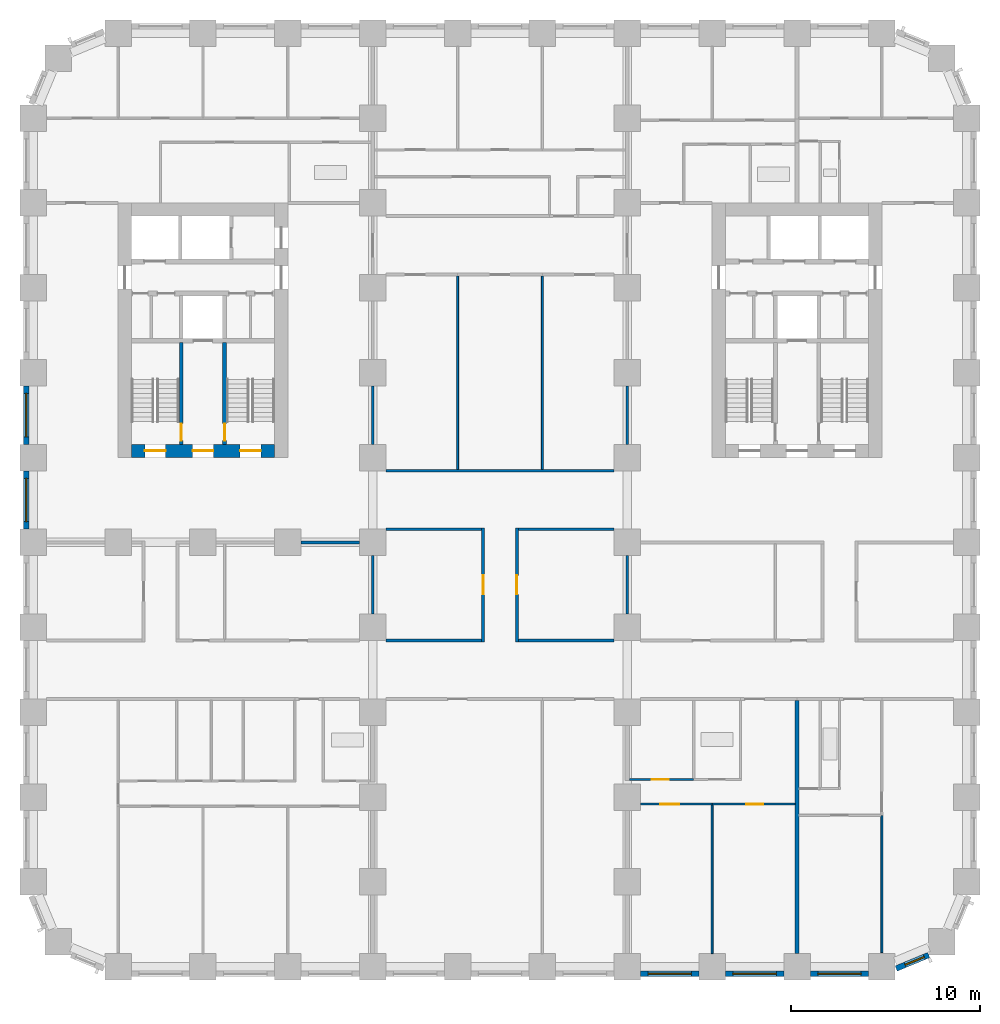
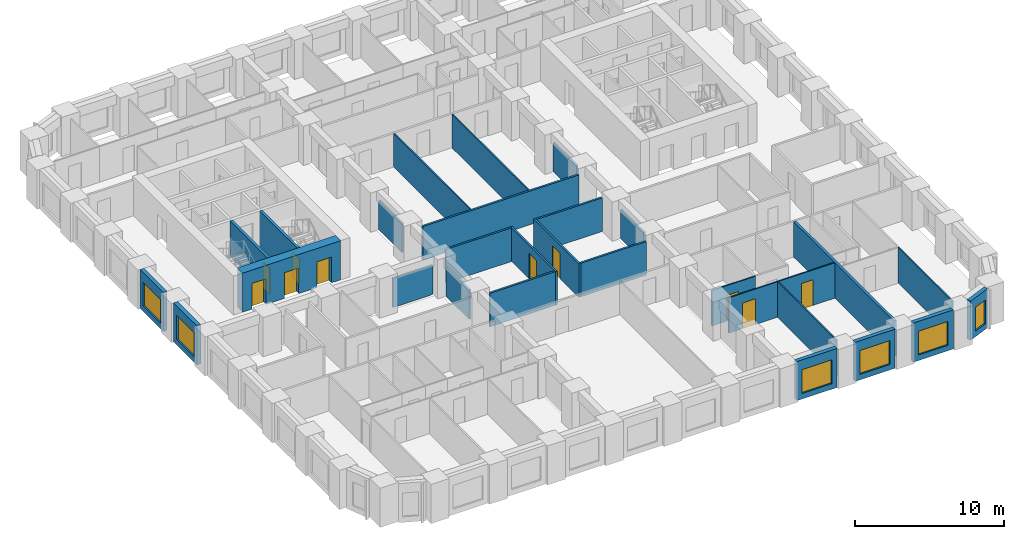
# One storey, part 4 of 13: 29 walls, 10 doors, 6 windows, 16 openings.
"""IFC4 building model written with IfcOpenShell, lengths in metres."""

from ifc_helpers import new_model, si_unit, direction, frame, frame_2d, origin, place, context, subcontext, project, spatial, rectangle, extrude, material, layer, layer_set, type_object, element, fill, save


model = new_model("IFC4")

# Units and contexts
model_context = context("Model", 3, precision=1e-05, world=origin(), true_north=direction((0.0, 1.0)))
body_context = subcontext(model_context, "Body", "Model", "MODEL_VIEW")
ifc_project = project(units=[si_unit("LENGTHUNIT", "METRE"), si_unit("AREAUNIT", "SQUARE_METRE"), si_unit("VOLUMEUNIT", "CUBIC_METRE"), si_unit("PLANEANGLEUNIT", "RADIAN"), si_unit("MASSUNIT", "GRAM", prefix="KILO")], contexts=[model_context])

# Site, building, storey
site_placement = place(None, origin())
site = spatial("IfcSite", under=ifc_project, at=site_placement, CompositionType="ELEMENT")
building_placement = place(site_placement, origin())
building = spatial("IfcBuilding", under=site, at=building_placement, Name="Girih Gate Residences", CompositionType="ELEMENT")
storey_placement = place(building_placement, frame((0.0, 0.0, 40.0)))
storey = spatial("IfcBuildingStorey", under=building, at=storey_placement, Name="L09", CompositionType="ELEMENT", Elevation=40.0)

# Wall, opening, door
ifc_material_1 = material(Name="Gypsum board on steel studs", Category="steel")
ifc_layer_1 = layer(ifc_material_1, 0.14990234375)
ifc_layer_set_1 = layer_set([ifc_layer_1], Name="Compartment wall 150 mm")
wall_type_1 = type_object("IfcWallType", Name="Compartment wall 150 mm", PredefinedType="PARTITIONING", material=ifc_layer_set_1)
wall_1_placement = place(storey_placement, frame((23.85009765625, 17.22509765625, 0.0), z_axis=(0.0, 0.0, 1.0), x_axis=(0.0, 1.0, 0.0)))
wall_1 = element("IfcWall", 1, at=wall_1_placement, inside=storey, type_object=wall_type_1, Name="L09 partition", PredefinedType="PARTITIONING", context=body_context, shape_type="SweptSolid", body=[
    extrude(rectangle(XDim=6.0498046875, YDim=0.14990234375, at=frame_2d((3.02490234375, 0.0))), origin(), (0.0, 0.0, 1.0), 2.75),
])
opening_1_placement = place(wall_1_placement, frame((2.52490234375, 0.0, 0.0)))
opening_1 = element("IfcOpeningElement", 2, at=opening_1_placement, cuts=wall_1, Name="Opening A09-051", PredefinedType="OPENING", context=body_context, shape_type="SweptSolid", body=[
    extrude(rectangle(XDim=1.0, YDim=2.10009765625, at=frame_2d((0.5, 1.050048828125))), frame((0.0, 0.0849609375, 0.0), z_axis=(0.0, -1.0, 0.0), x_axis=(1.0, 0.0, 0.0)), (0.0, 0.0, 1.0), 0.169921875),
])
ifc_material_2 = material(Name="Timber, fire-rated core", Category="wood")
door_type_1 = type_object("IfcDoorType", Name="Amenity room door 1000x2100 FD30S", OperationType="NOTDEFINED", PredefinedType="DOOR", material=ifc_material_2)
door_1_placement = place(opening_1_placement, origin())
door_1 = element("IfcDoor", 3, at=door_1_placement, inside=storey, type_object=door_type_1, Name="Door A09-051", OperationType="SINGLE_SWING_RIGHT", OverallHeight=2.10009765625, OverallWidth=1.0, PredefinedType="DOOR", context=body_context, shape_type="SweptSolid", body=[
    extrude(rectangle(XDim=1.0, YDim=2.10009765625, at=frame_2d((0.5, 1.050048828125))), frame((0.0, 0.02490234375, 0.0), z_axis=(0.0, -1.0, 0.0), x_axis=(1.0, 0.0, 0.0)), (0.0, 0.0, 1.0), 0.050048828125),
])
fill(opening_1, door_1)

wall_2_placement = place(storey_placement, frame((25.64990234375, 23.27490234375, 0.0), z_axis=(0.0, 0.0, 1.0), x_axis=(0.0, -1.0, 0.0)))
wall_2 = element("IfcWall", 4, at=wall_2_placement, inside=storey, type_object=wall_type_1, Name="L09 partition", PredefinedType="PARTITIONING", context=body_context, shape_type="SweptSolid", body=[
    extrude(rectangle(XDim=6.0498046875, YDim=0.14990234375, at=frame_2d((3.02490234375, 0.0))), origin(), (0.0, 0.0, 1.0), 2.75),
])
opening_2_placement = place(wall_2_placement, frame((2.52490234375, 0.0, 0.0)))
opening_2 = element("IfcOpeningElement", 5, at=opening_2_placement, cuts=wall_2, Name="Opening A09-052", PredefinedType="OPENING", context=body_context, shape_type="SweptSolid", body=[
    extrude(rectangle(XDim=1.0, YDim=2.10009765625, at=frame_2d((0.5, 1.050048828125))), frame((0.0, 0.0849609375, 0.0), z_axis=(0.0, -1.0, 0.0), x_axis=(1.0, 0.0, 0.0)), (0.0, 0.0, 1.0), 0.169921875),
])
door_2_placement = place(opening_2_placement, origin())
door_2 = element("IfcDoor", 6, at=door_2_placement, inside=storey, type_object=door_type_1, Name="Door A09-052", OperationType="SINGLE_SWING_RIGHT", OverallHeight=2.10009765625, OverallWidth=1.0, PredefinedType="DOOR", context=body_context, shape_type="SweptSolid", body=[
    extrude(rectangle(XDim=1.0, YDim=2.10009765625, at=frame_2d((0.5, 1.050048828125))), frame((0.0, 0.02490234375, 0.0), z_axis=(0.0, -1.0, 0.0), x_axis=(1.0, 0.0, 0.0)), (0.0, 0.0, 1.0), 0.050048828125),
])
fill(opening_2, door_2)

# Walls
for number, where, z_axis, x_axis, name in (
    (7, (18.699951171875, 17.300048828125, 0.0), (0.0, 0.0, 1.0), (1.0, 0.0, 0.0), "L09 partition"),
    (8, (25.72509765625, 17.300048828125, 0.0), (0.0, 0.0, 1.0), (1.0, 0.0, 0.0), "L09 partition"),
):
    element("IfcWall", number, at=place(storey_placement, frame(where, z_axis=z_axis, x_axis=x_axis)), inside=storey, type_object=wall_type_1, Name=name, PredefinedType="PARTITIONING", context=body_context, shape_type="SweptSolid", body=[
        extrude(rectangle(XDim=5.074951171875, YDim=0.14990234375, at=frame_2d((2.53759765625, 0.0))), origin(), (0.0, 0.0, 1.0), 2.75),
    ])
wall_3_placement = place(storey_placement, frame((18.0, 27.699951171875, 0.0), z_axis=(0.0, 0.0, 1.0), x_axis=(0.0, 1.0, 0.0)))
element("IfcWall", 9, at=wall_3_placement, inside=storey, type_object=wall_type_1, Name="L09 partition", PredefinedType="PARTITIONING", context=body_context, shape_type="SweptSolid", body=[
    extrude(rectangle(XDim=3.10009765625, YDim=0.14990234375, at=frame_2d((1.550048828125, 0.0))), origin(), (0.0, 0.0, 1.0), 2.3798828125),
])
wall_4_placement = place(storey_placement, frame((18.699951171875, 26.300048828125, 0.0), z_axis=(0.0, 0.0, 1.0), x_axis=(1.0, 0.0, 0.0)))
element("IfcWall", 10, at=wall_4_placement, inside=storey, type_object=wall_type_1, Name="L09 partition", PredefinedType="PARTITIONING", context=body_context, shape_type="SweptSolid", body=[
    extrude(rectangle(XDim=12.10009765625, YDim=0.14990234375, at=frame_2d((6.050048828125, 0.0))), origin(), (0.0, 0.0, 1.0), 2.75),
])
wall_5_placement = place(storey_placement, frame((31.5, 27.699951171875, 0.0), z_axis=(0.0, 0.0, 1.0), x_axis=(0.0, 1.0, 0.0)))
element("IfcWall", 11, at=wall_5_placement, inside=storey, type_object=wall_type_1, Name="L09 partition", PredefinedType="PARTITIONING", context=body_context, shape_type="SweptSolid", body=[
    extrude(rectangle(XDim=3.10009765625, YDim=0.14990234375, at=frame_2d((1.550048828125, 0.0))), origin(), (0.0, 0.0, 1.0), 2.3798828125),
])
wall_6_placement = place(storey_placement, frame((18.699951171875, 23.199951171875, 0.0), z_axis=(0.0, 0.0, 1.0), x_axis=(1.0, 0.0, 0.0)))
element("IfcWall", 12, at=wall_6_placement, inside=storey, type_object=wall_type_1, Name="L09 partition", PredefinedType="PARTITIONING", context=body_context, shape_type="SweptSolid", body=[
    extrude(rectangle(XDim=5.074951171875, YDim=0.14990234375, at=frame_2d((2.53759765625, 0.0))), origin(), (0.0, 0.0, 1.0), 2.75),
])
wall_7_placement = place(storey_placement, frame((18.0, 18.699951171875, 0.0), z_axis=(0.0, 0.0, 1.0), x_axis=(0.0, 1.0, 0.0)))
element("IfcWall", 13, at=wall_7_placement, inside=storey, type_object=wall_type_1, Name="L09 partition", PredefinedType="PARTITIONING", context=body_context, shape_type="SweptSolid", body=[
    extrude(rectangle(XDim=3.10009765625, YDim=0.14990234375, at=frame_2d((1.550048828125, 0.0))), origin(), (0.0, 0.0, 1.0), 2.3798828125),
])
wall_8_placement = place(storey_placement, frame((25.72509765625, 23.199951171875, 0.0), z_axis=(0.0, 0.0, 1.0), x_axis=(1.0, 0.0, 0.0)))
element("IfcWall", 14, at=wall_8_placement, inside=storey, type_object=wall_type_1, Name="L09 partition", PredefinedType="PARTITIONING", context=body_context, shape_type="SweptSolid", body=[
    extrude(rectangle(XDim=5.074951171875, YDim=0.14990234375, at=frame_2d((2.53759765625, 0.0))), origin(), (0.0, 0.0, 1.0), 2.75),
])
for number, where, z_axis, x_axis, name in (
    (15, (31.5, 18.699951171875, 0.0), (0.0, 0.0, 1.0), (0.0, 1.0, 0.0), "L09 partition"),
    (16, (14.199951171875, 22.5, 0.0), (0.0, 0.0, 1.0), (1.0, 0.0, 0.0), "L09 partition"),
):
    element("IfcWall", number, at=place(storey_placement, frame(where, z_axis=z_axis, x_axis=x_axis)), inside=storey, type_object=wall_type_1, Name=name, PredefinedType="PARTITIONING", context=body_context, shape_type="SweptSolid", body=[
        extrude(rectangle(XDim=3.10009765625, YDim=0.14990234375, at=frame_2d((1.550048828125, 0.0))), origin(), (0.0, 0.0, 1.0), 2.3798828125),
    ])

# Wall, openings, doors
ifc_material_3 = material(Name="Concrete C60/75", Category="concrete")
ifc_layer_2 = layer(ifc_material_3, 0.699951171875)
ifc_layer_set_2 = layer_set([ifc_layer_2], Name="Core wall RC 700 Concrete C60/75")
wall_type_2 = type_object("IfcWallType", Name="Core wall RC 700 Concrete C60/75", PredefinedType="SOLIDWALL", material=ifc_layer_set_2)
wall_9_placement = place(storey_placement, frame((5.199951171875, 27.35009765625, 0.0), z_axis=(0.0, 0.0, 1.0), x_axis=(1.0, 0.0, 0.0)))
wall_9 = element("IfcWall", 17, at=wall_9_placement, inside=storey, type_object=wall_type_2, Name="Core wall W-S L09", PredefinedType="SOLIDWALL", context=body_context, shape_type="SweptSolid", body=[
    extrude(rectangle(XDim=7.60009765625, YDim=0.699951171875, at=frame_2d((3.800048828125, 0.0))), origin(), (0.0, 0.0, 1.0), 3.199951171875),
])
opening_3_placement = place(wall_9_placement, frame((0.72509765625, 0.0, 0.0)))
opening_3 = element("IfcOpeningElement", 18, at=opening_3_placement, cuts=wall_9, Name="Opening D-L09-W-010", PredefinedType="OPENING", context=body_context, shape_type="SweptSolid", body=[
    extrude(rectangle(XDim=1.10009765625, YDim=2.10009765625, at=frame_2d((0.550048828125, 1.050048828125))), frame((0.0, 0.35986328125, 0.0), z_axis=(0.0, -1.0, 0.0), x_axis=(1.0, 0.0, 0.0)), (0.0, 0.0, 1.0), 0.719970703125),
])
opening_4_placement = place(wall_9_placement, frame((3.25, 0.0, 0.0)))
opening_4 = element("IfcOpeningElement", 19, at=opening_4_placement, cuts=wall_9, Name="Opening D-L09-W-011", PredefinedType="OPENING", context=body_context, shape_type="SweptSolid", body=[
    extrude(rectangle(XDim=1.10009765625, YDim=2.10009765625, at=frame_2d((0.550048828125, 1.050048828125))), frame((0.0, 0.35986328125, 0.0), z_axis=(0.0, -1.0, 0.0), x_axis=(1.0, 0.0, 0.0)), (0.0, 0.0, 1.0), 0.719970703125),
])
opening_5_placement = place(wall_9_placement, frame((5.77490234375, 0.0, 0.0)))
opening_5 = element("IfcOpeningElement", 20, at=opening_5_placement, cuts=wall_9, Name="Opening D-L09-W-012", PredefinedType="OPENING", context=body_context, shape_type="SweptSolid", body=[
    extrude(rectangle(XDim=1.10009765625, YDim=2.10009765625, at=frame_2d((0.550048828125, 1.050048828125))), frame((0.0, 0.35986328125, 0.0), z_axis=(0.0, -1.0, 0.0), x_axis=(1.0, 0.0, 0.0)), (0.0, 0.0, 1.0), 0.719970703125),
])
ifc_material_4 = material(Name="Painted steel, fire-resisting", Category="steel")
door_type_2 = type_object("IfcDoorType", Name="Fire door 1100x2100", OperationType="SINGLE_SWING_LEFT", PredefinedType="DOOR", material=ifc_material_4)
door_3_placement = place(opening_3_placement, origin())
door_3 = element("IfcDoor", 21, at=door_3_placement, inside=storey, type_object=door_type_2, Name="L09 W core door sta-out", OperationType="SINGLE_SWING_LEFT", OverallHeight=2.10009765625, OverallWidth=1.10009765625, PredefinedType="DOOR", context=body_context, shape_type="SweptSolid", body=[
    extrude(rectangle(XDim=1.10009765625, YDim=2.10009765625, at=frame_2d((0.550048828125, 1.050048828125))), frame((0.0, 0.02490234375, 0.0), z_axis=(0.0, -1.0, 0.0), x_axis=(1.0, 0.0, 0.0)), (0.0, 0.0, 1.0), 0.050048828125),
])
fill(opening_3, door_3)
door_4_placement = place(opening_4_placement, origin())
door_4 = element("IfcDoor", 22, at=door_4_placement, inside=storey, type_object=door_type_2, Name="L09 W core door ffl-out", OperationType="SINGLE_SWING_LEFT", OverallHeight=2.10009765625, OverallWidth=1.10009765625, PredefinedType="DOOR", context=body_context, shape_type="SweptSolid", body=[
    extrude(rectangle(XDim=1.10009765625, YDim=2.10009765625, at=frame_2d((0.550048828125, 1.050048828125))), frame((0.0, 0.02490234375, 0.0), z_axis=(0.0, -1.0, 0.0), x_axis=(1.0, 0.0, 0.0)), (0.0, 0.0, 1.0), 0.050048828125),
])
fill(opening_4, door_4)
door_5_placement = place(opening_5_placement, origin())
door_5 = element("IfcDoor", 23, at=door_5_placement, inside=storey, type_object=door_type_2, Name="L09 W core door stb-out", OperationType="SINGLE_SWING_LEFT", OverallHeight=2.10009765625, OverallWidth=1.10009765625, PredefinedType="DOOR", context=body_context, shape_type="SweptSolid", body=[
    extrude(rectangle(XDim=1.10009765625, YDim=2.10009765625, at=frame_2d((0.550048828125, 1.050048828125))), frame((0.0, 0.02490234375, 0.0), z_axis=(0.0, -1.0, 0.0), x_axis=(1.0, 0.0, 0.0)), (0.0, 0.0, 1.0), 0.050048828125),
])
fill(opening_5, door_5)

# Wall
ifc_layer_3 = layer(ifc_material_1, 0.10009765625)
ifc_layer_set_3 = layer_set([ifc_layer_3], Name="Partition 100 mm")
wall_type_3 = type_object("IfcWallType", Name="Partition 100 mm", PredefinedType="PARTITIONING", material=ifc_layer_set_3)
wall_10_placement = place(storey_placement, frame((45.0, 0.757568359375, 0.0), z_axis=(0.0, 0.0, 1.0), x_axis=(0.0, 1.0, 0.0)))
element("IfcWall", 24, at=wall_10_placement, inside=storey, type_object=wall_type_3, Name="L09 partition", PredefinedType="PARTITIONING", context=body_context, shape_type="SweptSolid", body=[
    extrude(rectangle(XDim=7.2724609375, YDim=0.10009765625, at=frame_2d((3.63623046875, 0.0))), origin(), (0.0, 0.0, 1.0), 2.89990234375),
])

# Wall, opening, door
wall_11_placement = place(storey_placement, frame((40.39990234375, 8.6298828125, 0.0), z_axis=(0.0, 0.0, 1.0), x_axis=(-1.0, 0.0, 0.0)))
wall_11 = element("IfcWall", 25, at=wall_11_placement, inside=storey, type_object=wall_type_3, Name="L09 partition", PredefinedType="PARTITIONING", context=body_context, shape_type="SweptSolid", body=[
    extrude(rectangle(XDim=4.39990234375, YDim=0.10009765625, at=frame_2d((2.199951171875, 0.0))), origin(), (0.0, 0.0, 1.0), 2.89990234375),
])
opening_6_placement = place(wall_11_placement, frame((1.699951171875, 0.0, 0.0)))
opening_6 = element("IfcOpeningElement", 26, at=opening_6_placement, cuts=wall_11, Name="Opening A09-024", PredefinedType="OPENING", context=body_context, shape_type="SweptSolid", body=[
    extrude(rectangle(XDim=0.89990234375, YDim=2.10009765625, at=frame_2d((0.449951171875, 1.050048828125))), frame((0.0, 0.06005859375, 0.0), z_axis=(0.0, -1.0, 0.0), x_axis=(1.0, 0.0, 0.0)), (0.0, 0.0, 1.0), 0.1201171875),
])
ifc_material_5 = material(Name="Timber", Category="wood")
door_type_3 = type_object("IfcDoorType", Name="Bedroom door 900x2100", OperationType="NOTDEFINED", PredefinedType="DOOR", material=ifc_material_5)
door_6_placement = place(opening_6_placement, origin())
door_6 = element("IfcDoor", 27, at=door_6_placement, inside=storey, type_object=door_type_3, Name="Door A09-024", OperationType="SINGLE_SWING_LEFT", OverallHeight=2.10009765625, OverallWidth=0.89990234375, PredefinedType="DOOR", context=body_context, shape_type="SweptSolid", body=[
    extrude(rectangle(XDim=0.89990234375, YDim=2.10009765625, at=frame_2d((0.449951171875, 1.050048828125))), frame((0.0, 0.02490234375, 0.0), z_axis=(0.0, -1.0, 0.0), x_axis=(1.0, 0.0, 0.0)), (0.0, 0.0, 1.0), 0.050048828125),
])
fill(opening_6, door_6)

# Wall
wall_12_placement = place(storey_placement, frame((36.0, 0.699951171875, 0.0), z_axis=(0.0, 0.0, 1.0), x_axis=(0.0, 1.0, 0.0)))
element("IfcWall", 28, at=wall_12_placement, inside=storey, type_object=wall_type_3, Name="L09 partition", PredefinedType="PARTITIONING", context=body_context, shape_type="SweptSolid", body=[
    extrude(rectangle(XDim=7.880126953125, YDim=0.10009765625, at=frame_2d((3.93994140625, 0.0))), origin(), (0.0, 0.0, 1.0), 2.89990234375),
])

# Wall, opening, door
wall_13_placement = place(storey_placement, frame((31.625, 9.929931640625, 0.0), z_axis=(0.0, 0.0, 1.0), x_axis=(1.0, 0.0, 0.0)))
wall_13 = element("IfcWall", 29, at=wall_13_placement, inside=storey, type_object=wall_type_3, Name="L09 partition", PredefinedType="PARTITIONING", context=body_context, shape_type="SweptSolid", body=[
    extrude(rectangle(XDim=3.390380859375, YDim=0.10009765625, at=frame_2d((1.6953125, 0.0))), origin(), (0.0, 0.0, 1.0), 2.89990234375),
])
opening_7_placement = place(wall_13_placement, frame((1.1826171875, 0.0, 0.0)))
opening_7 = element("IfcOpeningElement", 30, at=opening_7_placement, cuts=wall_13, Name="Opening A09-025", PredefinedType="OPENING", context=body_context, shape_type="SweptSolid", body=[
    extrude(rectangle(XDim=0.89990234375, YDim=2.10009765625, at=frame_2d((0.449951171875, 1.050048828125))), frame((0.0, 0.06005859375, 0.0), z_axis=(0.0, -1.0, 0.0), x_axis=(1.0, 0.0, 0.0)), (0.0, 0.0, 1.0), 0.1201171875),
])
door_type_4 = type_object("IfcDoorType", Name="Kitchen door 900x2100", OperationType="NOTDEFINED", PredefinedType="DOOR", material=ifc_material_5)
door_7_placement = place(opening_7_placement, origin())
door_7 = element("IfcDoor", 31, at=door_7_placement, inside=storey, type_object=door_type_4, Name="Door A09-025", OperationType="SINGLE_SWING_LEFT", OverallHeight=2.10009765625, OverallWidth=0.89990234375, PredefinedType="DOOR", context=body_context, shape_type="SweptSolid", body=[
    extrude(rectangle(XDim=0.89990234375, YDim=2.10009765625, at=frame_2d((0.449951171875, 1.050048828125))), frame((0.0, 0.02490234375, 0.0), z_axis=(0.0, -1.0, 0.0), x_axis=(1.0, 0.0, 0.0)), (0.0, 0.0, 1.0), 0.050048828125),
])
fill(opening_7, door_7)

wall_14_placement = place(storey_placement, frame((36.0, 8.6298828125, 0.0), z_axis=(0.0, 0.0, 1.0), x_axis=(-1.0, 0.0, 0.0)))
wall_14 = element("IfcWall", 32, at=wall_14_placement, inside=storey, type_object=wall_type_3, Name="L09 partition", PredefinedType="PARTITIONING", context=body_context, shape_type="SweptSolid", body=[
    extrude(rectangle(XDim=3.800048828125, YDim=0.10009765625, at=frame_2d((1.89990234375, 0.0))), origin(), (0.0, 0.0, 1.0), 2.89990234375),
])
opening_8_placement = place(wall_14_placement, frame((1.75, 0.0, 0.0)))
opening_8 = element("IfcOpeningElement", 33, at=opening_8_placement, cuts=wall_14, Name="Opening A09-026", PredefinedType="OPENING", context=body_context, shape_type="SweptSolid", body=[
    extrude(rectangle(XDim=1.0, YDim=2.10009765625, at=frame_2d((0.5, 1.050048828125))), frame((0.0, 0.06005859375, 0.0), z_axis=(0.0, -1.0, 0.0), x_axis=(1.0, 0.0, 0.0)), (0.0, 0.0, 1.0), 0.1201171875),
])
door_type_5 = type_object("IfcDoorType", Name="Living room door 1000x2100", OperationType="NOTDEFINED", PredefinedType="DOOR", material=ifc_material_5)
door_8_placement = place(opening_8_placement, origin())
door_8 = element("IfcDoor", 34, at=door_8_placement, inside=storey, type_object=door_type_5, Name="Door A09-026", OperationType="SINGLE_SWING_RIGHT", OverallHeight=2.10009765625, OverallWidth=1.0, PredefinedType="DOOR", context=body_context, shape_type="SweptSolid", body=[
    extrude(rectangle(XDim=1.0, YDim=2.10009765625, at=frame_2d((0.5, 1.050048828125))), frame((0.0, 0.02490234375, 0.0), z_axis=(0.0, -1.0, 0.0), x_axis=(1.0, 0.0, 0.0)), (0.0, 0.0, 1.0), 0.050048828125),
])
fill(opening_8, door_8)

# Walls
for number, where, z_axis, x_axis, name in (
    (35, (22.5, 26.375, 0.0), (0.0, 0.0, 1.0), (0.0, 1.0, 0.0), "L09 partition"),
    (36, (27.0, 26.375, 0.0), (0.0, 0.0, 1.0), (0.0, 1.0, 0.0), "L09 partition"),
):
    element("IfcWall", number, at=place(storey_placement, frame(where, z_axis=z_axis, x_axis=x_axis)), inside=storey, type_object=wall_type_3, Name=name, PredefinedType="PARTITIONING", context=body_context, shape_type="SweptSolid", body=[
        extrude(rectangle(XDim=10.25, YDim=0.10009765625, at=frame_2d((5.125, 0.0))), origin(), (0.0, 0.0, 1.0), 2.75),
    ])
ifc_layer_4 = layer(ifc_material_1, 0.199951171875)
ifc_layer_set_4 = layer_set([ifc_layer_4], Name="Party wall 200 mm")
wall_type_4 = type_object("IfcWallType", Name="Party wall 200 mm", PredefinedType="PARTITIONING", material=ifc_layer_set_4)
wall_15_placement = place(storey_placement, frame((40.5, 0.699951171875, 0.0), z_axis=(0.0, 0.0, 1.0), x_axis=(0.0, 1.0, 0.0)))
element("IfcWall", 37, at=wall_15_placement, inside=storey, type_object=wall_type_4, Name="L09 partition", PredefinedType="PARTITIONING", context=body_context, shape_type="SweptSolid", body=[
    extrude(rectangle(XDim=13.425048828125, YDim=0.199951171875, at=frame_2d((6.71240234375, 0.0))), origin(), (0.0, 0.0, 1.0), 2.89990234375),
])

# Wall, opening, window
ifc_material_6 = material(Name="Precast concrete C50/60", Category="concrete")
ifc_layer_5 = layer(ifc_material_6, 0.080078125, Name="Outer leaf")
ifc_material_7 = material(Name="Rigid PIR insulation")
ifc_layer_6 = layer(ifc_material_7, 0.14990234375, Name="Insulation")
ifc_material_8 = material(Name="Precast concrete C40/50", Category="concrete")
ifc_layer_7 = layer(ifc_material_8, 0.070068359375, Name="Inner leaf")
ifc_layer_set_5 = layer_set([ifc_layer_5, ifc_layer_6, ifc_layer_7], Name="Precast concrete C50/60 external wall 300")
wall_type_5 = type_object("IfcWallType", Name="Precast concrete C50/60 external wall 300", PredefinedType="SOLIDWALL", material=ifc_layer_set_5)
wall_16_placement = place(storey_placement, frame((35.300048828125, -0.375, 0.0), z_axis=(0.0, 0.0, 1.0), x_axis=(-1.0, 0.0, 0.0)))
wall_16 = element("IfcWall", 38, at=wall_16_placement, inside=storey, type_object=wall_type_5, Name="External wall S0045_0000.6", PredefinedType="SOLIDWALL", context=body_context, shape_type="SweptSolid", body=[
    extrude(rectangle(XDim=3.10009765625, YDim=0.300048828125, at=frame_2d((1.550048828125, 0.0))), origin(), (0.0, 0.0, 1.0), 3.199951171875),
])
opening_9_placement = place(wall_16_placement, frame((0.39990234375, 0.0, 0.449951171875)))
opening_9 = element("IfcOpeningElement", 39, at=opening_9_placement, cuts=wall_16, Name="Opening W-1", PredefinedType="OPENING", context=body_context, shape_type="SweptSolid", body=[
    extrude(rectangle(XDim=2.300048828125, YDim=1.949951171875, at=frame_2d((1.14990234375, 0.97509765625))), frame((0.0, 0.159912109375, 0.0), z_axis=(0.0, -1.0, 0.0), x_axis=(1.0, 0.0, 0.0)), (0.0, 0.0, 1.0), 0.320068359375),
])
ifc_material_9 = material(Name="Double glazing in aluminium frame", Category="aluminium")
window_type_1 = type_object("IfcWindowType", Name="Window W-1 2300x1950", PartitioningType="SINGLE_PANEL", PredefinedType="WINDOW", material=ifc_material_9)
window_1_placement = place(opening_9_placement, origin())
window_1 = element("IfcWindow", 40, at=window_1_placement, inside=storey, type_object=window_type_1, Name="Window W-1 S0045_0000.6", OverallHeight=1.949951171875, OverallWidth=2.300048828125, PartitioningType="SINGLE_PANEL", PredefinedType="WINDOW", context=body_context, shape_type="SweptSolid", body=[
    extrude(rectangle(XDim=2.300048828125, YDim=1.949951171875, at=frame_2d((1.14990234375, 0.97509765625))), frame((0.0, 0.030029296875, 0.0), z_axis=(0.0, -1.0, 0.0), x_axis=(1.0, 0.0, 0.0)), (0.0, 0.0, 1.0), 0.06005859375),
])
fill(opening_9, window_1)

wall_17_placement = place(storey_placement, frame((39.800048828125, -0.375, 0.0), z_axis=(0.0, 0.0, 1.0), x_axis=(-1.0, 0.0, 0.0)))
wall_17 = element("IfcWall", 41, at=wall_17_placement, inside=storey, type_object=wall_type_5, Name="External wall S0045_0000.7", PredefinedType="SOLIDWALL", context=body_context, shape_type="SweptSolid", body=[
    extrude(rectangle(XDim=3.10009765625, YDim=0.300048828125, at=frame_2d((1.550048828125, 0.0))), origin(), (0.0, 0.0, 1.0), 3.199951171875),
])
opening_10_placement = place(wall_17_placement, frame((0.39990234375, 0.0, 0.449951171875)))
opening_10 = element("IfcOpeningElement", 42, at=opening_10_placement, cuts=wall_17, Name="Opening W-1", PredefinedType="OPENING", context=body_context, shape_type="SweptSolid", body=[
    extrude(rectangle(XDim=2.300048828125, YDim=1.949951171875, at=frame_2d((1.14990234375, 0.97509765625))), frame((0.0, 0.159912109375, 0.0), z_axis=(0.0, -1.0, 0.0), x_axis=(1.0, 0.0, 0.0)), (0.0, 0.0, 1.0), 0.320068359375),
])
window_2_placement = place(opening_10_placement, origin())
window_2 = element("IfcWindow", 43, at=window_2_placement, inside=storey, type_object=window_type_1, Name="Window W-1 S0045_0000.7", OverallHeight=1.949951171875, OverallWidth=2.300048828125, PartitioningType="SINGLE_PANEL", PredefinedType="WINDOW", context=body_context, shape_type="SweptSolid", body=[
    extrude(rectangle(XDim=2.300048828125, YDim=1.949951171875, at=frame_2d((1.14990234375, 0.97509765625))), frame((0.0, 0.030029296875, 0.0), z_axis=(0.0, -1.0, 0.0), x_axis=(1.0, 0.0, 0.0)), (0.0, 0.0, 1.0), 0.06005859375),
])
fill(opening_10, window_2)

wall_18_placement = place(storey_placement, frame((44.300048828125, -0.375, 0.0), z_axis=(0.0, 0.0, 1.0), x_axis=(-1.0, 0.0, 0.0)))
wall_18 = element("IfcWall", 44, at=wall_18_placement, inside=storey, type_object=wall_type_5, Name="External wall S0045_0000.8", PredefinedType="SOLIDWALL", context=body_context, shape_type="SweptSolid", body=[
    extrude(rectangle(XDim=3.10009765625, YDim=0.300048828125, at=frame_2d((1.550048828125, 0.0))), origin(), (0.0, 0.0, 1.0), 3.199951171875),
])
opening_11_placement = place(wall_18_placement, frame((0.39990234375, 0.0, 0.449951171875)))
opening_11 = element("IfcOpeningElement", 45, at=opening_11_placement, cuts=wall_18, Name="Opening W-1", PredefinedType="OPENING", context=body_context, shape_type="SweptSolid", body=[
    extrude(rectangle(XDim=2.300048828125, YDim=1.949951171875, at=frame_2d((1.14990234375, 0.97509765625))), frame((0.0, 0.159912109375, 0.0), z_axis=(0.0, -1.0, 0.0), x_axis=(1.0, 0.0, 0.0)), (0.0, 0.0, 1.0), 0.320068359375),
])
window_3_placement = place(opening_11_placement, origin())
window_3 = element("IfcWindow", 46, at=window_3_placement, inside=storey, type_object=window_type_1, Name="Window W-1 S0045_0000.8", OverallHeight=1.949951171875, OverallWidth=2.300048828125, PartitioningType="SINGLE_PANEL", PredefinedType="WINDOW", context=body_context, shape_type="SweptSolid", body=[
    extrude(rectangle(XDim=2.300048828125, YDim=1.949951171875, at=frame_2d((1.14990234375, 0.97509765625))), frame((0.0, 0.030029296875, 0.0), z_axis=(0.0, -1.0, 0.0), x_axis=(1.0, 0.0, 0.0)), (0.0, 0.0, 1.0), 0.06005859375),
])
fill(opening_11, window_3)

wall_19_placement = place(storey_placement, frame((47.48046875, 0.62158203125, 0.0), z_axis=(0.0, 0.0, 1.0), x_axis=(-0.923903565336, -0.38262540684, 0.0)))
wall_19 = element("IfcWall", 47, at=wall_19_placement, inside=storey, type_object=wall_type_5, Name="External wall SE0450_0000.0", PredefinedType="SOLIDWALL", context=body_context, shape_type="SweptSolid", body=[
    extrude(rectangle(XDim=1.864990234375, YDim=0.300048828125, at=frame_2d((0.9326171875, 0.0))), origin(), (0.0, 0.0, 1.0), 3.199951171875),
])
opening_12_placement = place(wall_19_placement, frame((0.257568359375, 0.0, 0.449951171875)))
opening_12 = element("IfcOpeningElement", 48, at=opening_12_placement, cuts=wall_19, Name="Opening W-2C", PredefinedType="OPENING", context=body_context, shape_type="SweptSolid", body=[
    extrude(rectangle(XDim=1.10009765625, YDim=1.949951171875, at=frame_2d((0.550048828125, 0.97509765625))), frame((0.0, 0.159912109375, 0.0), z_axis=(0.0, -1.0, 0.0), x_axis=(1.0, 0.0, 0.0)), (0.0, 0.0, 1.0), 0.320068359375),
])
window_type_2 = type_object("IfcWindowType", Name="Window W-2C 1100x1950", PartitioningType="SINGLE_PANEL", PredefinedType="WINDOW", material=ifc_material_9)
window_4_placement = place(opening_12_placement, origin())
window_4 = element("IfcWindow", 49, at=window_4_placement, inside=storey, type_object=window_type_2, Name="Window W-2C SE0450_0000.0", OverallHeight=1.949951171875, OverallWidth=1.10009765625, PartitioningType="SINGLE_PANEL", PredefinedType="WINDOW", context=body_context, shape_type="SweptSolid", body=[
    extrude(rectangle(XDim=1.10009765625, YDim=1.949951171875, at=frame_2d((0.550048828125, 0.97509765625))), frame((0.0, 0.030029296875, 0.0), z_axis=(0.0, -1.0, 0.0), x_axis=(1.0, 0.0, 0.0)), (0.0, 0.0, 1.0), 0.06005859375),
])
fill(opening_12, window_4)

wall_20_placement = place(storey_placement, frame((-0.375, 27.699951171875, 0.0), z_axis=(0.0, 0.0, 1.0), x_axis=(0.0, 1.0, 0.0)))
wall_20 = element("IfcWall", 50, at=wall_20_placement, inside=storey, type_object=wall_type_5, Name="External wall W0000_0450.3", PredefinedType="SOLIDWALL", context=body_context, shape_type="SweptSolid", body=[
    extrude(rectangle(XDim=3.10009765625, YDim=0.300048828125, at=frame_2d((1.550048828125, 0.0))), origin(), (0.0, 0.0, 1.0), 3.199951171875),
])
opening_13_placement = place(wall_20_placement, frame((0.39990234375, 0.0, 0.449951171875)))
opening_13 = element("IfcOpeningElement", 51, at=opening_13_placement, cuts=wall_20, Name="Opening W-1", PredefinedType="OPENING", context=body_context, shape_type="SweptSolid", body=[
    extrude(rectangle(XDim=2.300048828125, YDim=1.949951171875, at=frame_2d((1.14990234375, 0.97509765625))), frame((0.0, 0.159912109375, 0.0), z_axis=(0.0, -1.0, 0.0), x_axis=(1.0, 0.0, 0.0)), (0.0, 0.0, 1.0), 0.320068359375),
])
window_5_placement = place(opening_13_placement, origin())
window_5 = element("IfcWindow", 52, at=window_5_placement, inside=storey, type_object=window_type_1, Name="Window W-1 W0000_0450.3", OverallHeight=1.949951171875, OverallWidth=2.300048828125, PartitioningType="SINGLE_PANEL", PredefinedType="WINDOW", context=body_context, shape_type="SweptSolid", body=[
    extrude(rectangle(XDim=2.300048828125, YDim=1.949951171875, at=frame_2d((1.14990234375, 0.97509765625))), frame((0.0, 0.030029296875, 0.0), z_axis=(0.0, -1.0, 0.0), x_axis=(1.0, 0.0, 0.0)), (0.0, 0.0, 1.0), 0.06005859375),
])
fill(opening_13, window_5)

wall_21_placement = place(storey_placement, frame((-0.375, 23.199951171875, 0.0), z_axis=(0.0, 0.0, 1.0), x_axis=(0.0, 1.0, 0.0)))
wall_21 = element("IfcWall", 53, at=wall_21_placement, inside=storey, type_object=wall_type_5, Name="External wall W0000_0450.4", PredefinedType="SOLIDWALL", context=body_context, shape_type="SweptSolid", body=[
    extrude(rectangle(XDim=3.10009765625, YDim=0.300048828125, at=frame_2d((1.550048828125, 0.0))), origin(), (0.0, 0.0, 1.0), 3.199951171875),
])
opening_14_placement = place(wall_21_placement, frame((0.39990234375, 0.0, 0.449951171875)))
opening_14 = element("IfcOpeningElement", 54, at=opening_14_placement, cuts=wall_21, Name="Opening W-1", PredefinedType="OPENING", context=body_context, shape_type="SweptSolid", body=[
    extrude(rectangle(XDim=2.300048828125, YDim=1.949951171875, at=frame_2d((1.14990234375, 0.97509765625))), frame((0.0, 0.159912109375, 0.0), z_axis=(0.0, -1.0, 0.0), x_axis=(1.0, 0.0, 0.0)), (0.0, 0.0, 1.0), 0.320068359375),
])
window_6_placement = place(opening_14_placement, origin())
window_6 = element("IfcWindow", 55, at=window_6_placement, inside=storey, type_object=window_type_1, Name="Window W-1 W0000_0450.4", OverallHeight=1.949951171875, OverallWidth=2.300048828125, PartitioningType="SINGLE_PANEL", PredefinedType="WINDOW", context=body_context, shape_type="SweptSolid", body=[
    extrude(rectangle(XDim=2.300048828125, YDim=1.949951171875, at=frame_2d((1.14990234375, 0.97509765625))), frame((0.0, 0.030029296875, 0.0), z_axis=(0.0, -1.0, 0.0), x_axis=(1.0, 0.0, 0.0)), (0.0, 0.0, 1.0), 0.06005859375),
])
fill(opening_14, window_6)

# Wall, opening, door
ifc_material_10 = material(Name="Concrete C40/50", Category="concrete")
ifc_layer_8 = layer(ifc_material_10, 0.199951171875)
ifc_layer_set_6 = layer_set([ifc_layer_8], Name="Shaft wall 200")
wall_type_6 = type_object("IfcWallType", Name="Shaft wall 200", PredefinedType="SOLIDWALL", material=ifc_layer_set_6)
wall_22_placement = place(storey_placement, frame((7.85009765625, 27.699951171875, 0.0), z_axis=(0.0, 0.0, 1.0), x_axis=(0.0, 1.0, 0.0)))
wall_22 = element("IfcWall", 56, at=wall_22_placement, inside=storey, type_object=wall_type_6, Name="L09 W core wall V1a", PredefinedType="SOLIDWALL", context=body_context, shape_type="SweptSolid", body=[
    extrude(rectangle(XDim=5.400146484375, YDim=0.199951171875, at=frame_2d((2.7001953125, 0.0))), origin(), (0.0, 0.0, 1.0), 2.89990234375),
])
opening_15_placement = place(wall_22_placement, frame((0.199951171875, 0.0, 0.0)))
opening_15 = element("IfcOpeningElement", 57, at=opening_15_placement, cuts=wall_22, Name="Opening D-L09-W-001", PredefinedType="OPENING", context=body_context, shape_type="SweptSolid", body=[
    extrude(rectangle(XDim=0.89990234375, YDim=2.10009765625, at=frame_2d((0.449951171875, 1.050048828125))), frame((0.0, 0.10986328125, 0.0), z_axis=(0.0, -1.0, 0.0), x_axis=(1.0, 0.0, 0.0)), (0.0, 0.0, 1.0), 0.219970703125),
])
door_type_6 = type_object("IfcDoorType", Name="Fire door 900x2100", OperationType="SINGLE_SWING_LEFT", PredefinedType="DOOR", material=ifc_material_4)
door_9_placement = place(opening_15_placement, origin())
door_9 = element("IfcDoor", 58, at=door_9_placement, inside=storey, type_object=door_type_6, Name="L09 W door stair 1 to firefighting lobby", OperationType="SINGLE_SWING_LEFT", OverallHeight=2.10009765625, OverallWidth=0.89990234375, PredefinedType="DOOR", context=body_context, shape_type="SweptSolid", body=[
    extrude(rectangle(XDim=0.89990234375, YDim=2.10009765625, at=frame_2d((0.449951171875, 1.050048828125))), frame((0.0, 0.02490234375, 0.0), z_axis=(0.0, -1.0, 0.0), x_axis=(1.0, 0.0, 0.0)), (0.0, 0.0, 1.0), 0.050048828125),
])
fill(opening_15, door_9)

wall_23_placement = place(storey_placement, frame((10.14990234375, 27.699951171875, 0.0), z_axis=(0.0, 0.0, 1.0), x_axis=(0.0, 1.0, 0.0)))
wall_23 = element("IfcWall", 59, at=wall_23_placement, inside=storey, type_object=wall_type_6, Name="L09 W core wall V2a", PredefinedType="SOLIDWALL", context=body_context, shape_type="SweptSolid", body=[
    extrude(rectangle(XDim=5.400146484375, YDim=0.199951171875, at=frame_2d((2.7001953125, 0.0))), origin(), (0.0, 0.0, 1.0), 2.89990234375),
])
opening_16_placement = place(wall_23_placement, frame((0.199951171875, 0.0, 0.0)))
opening_16 = element("IfcOpeningElement", 60, at=opening_16_placement, cuts=wall_23, Name="Opening D-L09-W-002", PredefinedType="OPENING", context=body_context, shape_type="SweptSolid", body=[
    extrude(rectangle(XDim=0.89990234375, YDim=2.10009765625, at=frame_2d((0.449951171875, 1.050048828125))), frame((0.0, 0.10986328125, 0.0), z_axis=(0.0, -1.0, 0.0), x_axis=(1.0, 0.0, 0.0)), (0.0, 0.0, 1.0), 0.219970703125),
])
door_10_placement = place(opening_16_placement, origin())
door_10 = element("IfcDoor", 61, at=door_10_placement, inside=storey, type_object=door_type_6, Name="L09 W door stair 2 to firefighting lobby", OperationType="SINGLE_SWING_LEFT", OverallHeight=2.10009765625, OverallWidth=0.89990234375, PredefinedType="DOOR", context=body_context, shape_type="SweptSolid", body=[
    extrude(rectangle(XDim=0.89990234375, YDim=2.10009765625, at=frame_2d((0.449951171875, 1.050048828125))), frame((0.0, 0.02490234375, 0.0), z_axis=(0.0, -1.0, 0.0), x_axis=(1.0, 0.0, 0.0)), (0.0, 0.0, 1.0), 0.050048828125),
])
fill(opening_16, door_10)

save(model, "model.ifc")
